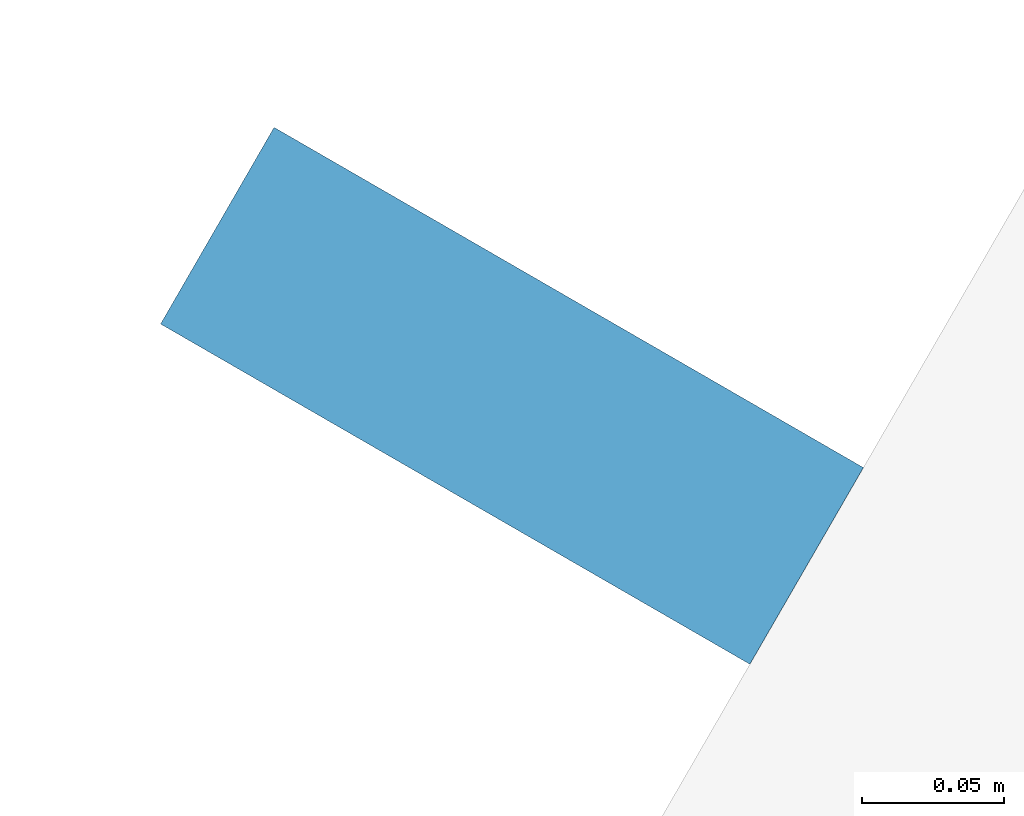
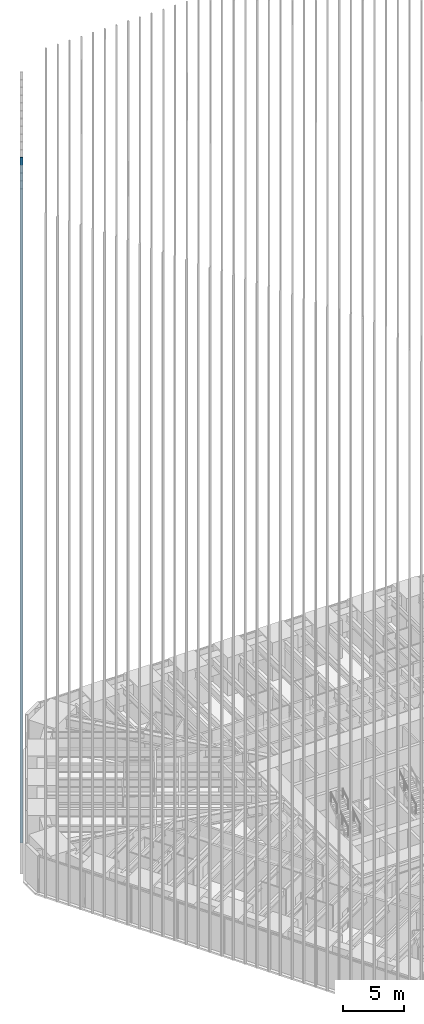
# One storey, part 142 of 256: 1 member, 1 element without a shape of its own.
"""IFC4 building model written with IfcOpenShell, lengths in metres."""

from ifc_helpers import new_model, si_unit, direction, frame, origin, origin_2d, place, context, subcontext, project, spatial, rectangle, extrude, material, material_profile, profile_set, type_object, element, aggregate, save


model = new_model("IFC4")

# Units and contexts
model_context = context("Model", 3, precision=1e-05, world=origin(), true_north=direction((0.0, 1.0)))
body_context = subcontext(model_context, "Body", "Model", "MODEL_VIEW")
ifc_project = project(units=[si_unit("LENGTHUNIT", "METRE"), si_unit("AREAUNIT", "SQUARE_METRE"), si_unit("VOLUMEUNIT", "CUBIC_METRE"), si_unit("PLANEANGLEUNIT", "RADIAN"), si_unit("MASSUNIT", "GRAM", prefix="KILO")], contexts=[model_context])

# Site, building, storey
site_placement = place(None, origin())
site = spatial("IfcSite", under=ifc_project, at=site_placement, CompositionType="ELEMENT")
building_placement = place(site_placement, origin())
building = spatial("IfcBuilding", under=site, at=building_placement, Name="Sandreach Pilgrim Tower", CompositionType="ELEMENT")
storey_placement = place(building_placement, frame((0.0, 0.0, 23.0)))
storey = spatial("IfcBuildingStorey", under=building, at=storey_placement, Name="L04", CompositionType="ELEMENT", Elevation=23.0)

# Curtain wall, member
ifc_material_1 = material(Name="Aluminium framed curtain wall", Category="aluminium")
curtain_wall_type = type_object("IfcCurtainWallType", Name="Hostel tower curtain wall", PredefinedType="NOTDEFINED", material=ifc_material_1)
curtain_wall_placement = place(storey_placement, origin())
curtain_wall = element("IfcCurtainWall", 1, at=curtain_wall_placement, inside=storey, type_object=curtain_wall_type, Name="CW-1 L04 NW", PredefinedType="NOTDEFINED")
ifc_material_2 = material(Name="Extruded terracotta on aluminium core", Category="masonry")
ifc_material_profile = material_profile(ifc_material_2, rectangle(XDim=0.080078125, YDim=0.239990234375, at=origin_2d()), Name="TBW 80X240")
ifc_profile_set = profile_set([ifc_material_profile], Name="Extruded terracotta on aluminium core")
member_type = type_object("IfcMemberType", Name="Terracotta baguette west", PredefinedType="USERDEFINED", material=ifc_profile_set)
member_placement = place(storey_placement, frame((-28.292236328125, 11.858154296875, 0.0), z_axis=(0.0, 0.0, 1.0), x_axis=(0.5, 0.866025403784, 0.0)))
member = element("IfcMember", 2, at=member_placement, type_object=member_type, Name="Baguette Z1 NW05", ObjectType="BAGUETTE", PredefinedType="USERDEFINED", context=body_context, shape_type="SweptSolid", body=[
    extrude(rectangle(XDim=0.080078125, YDim=0.239990234375, at=origin_2d()), origin(), (0.0, 0.0, 1.0), 68.239990234375),
])
aggregate(curtain_wall, [member])

save(model, "model.ifc")
